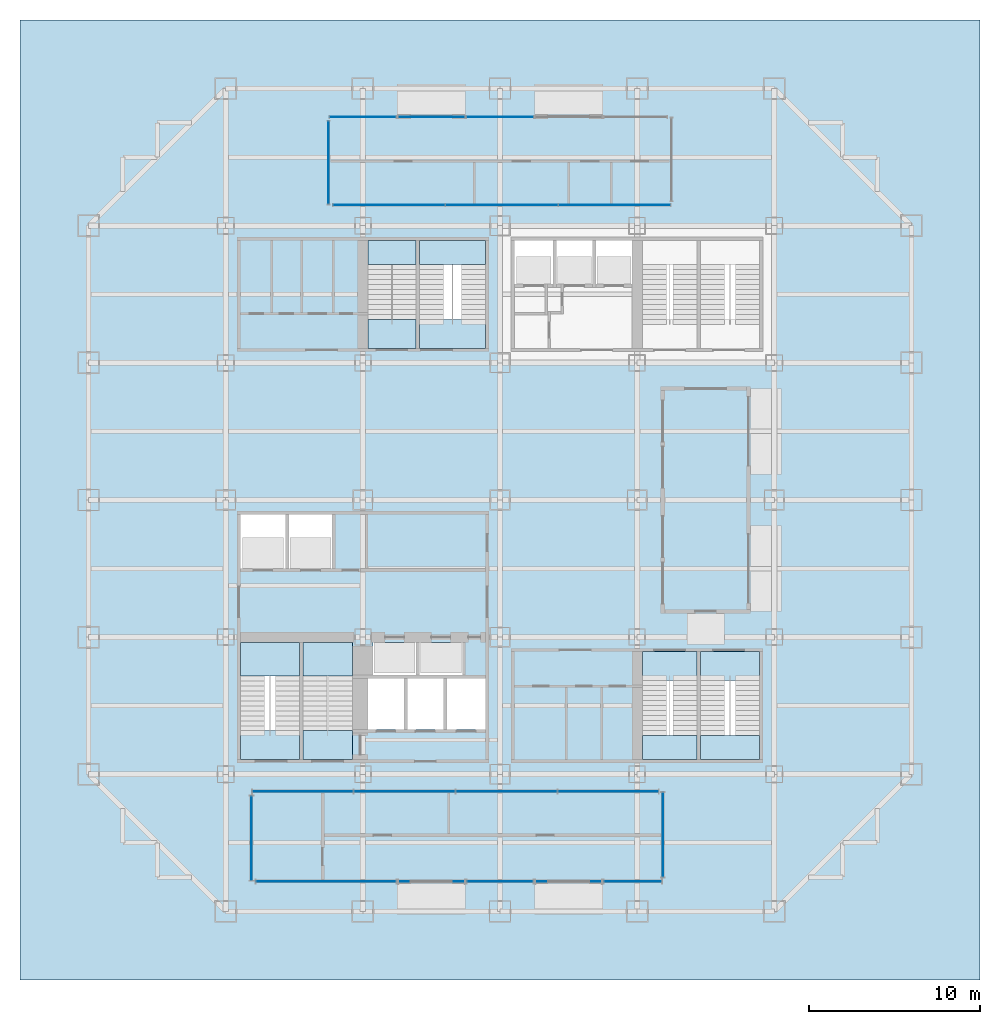
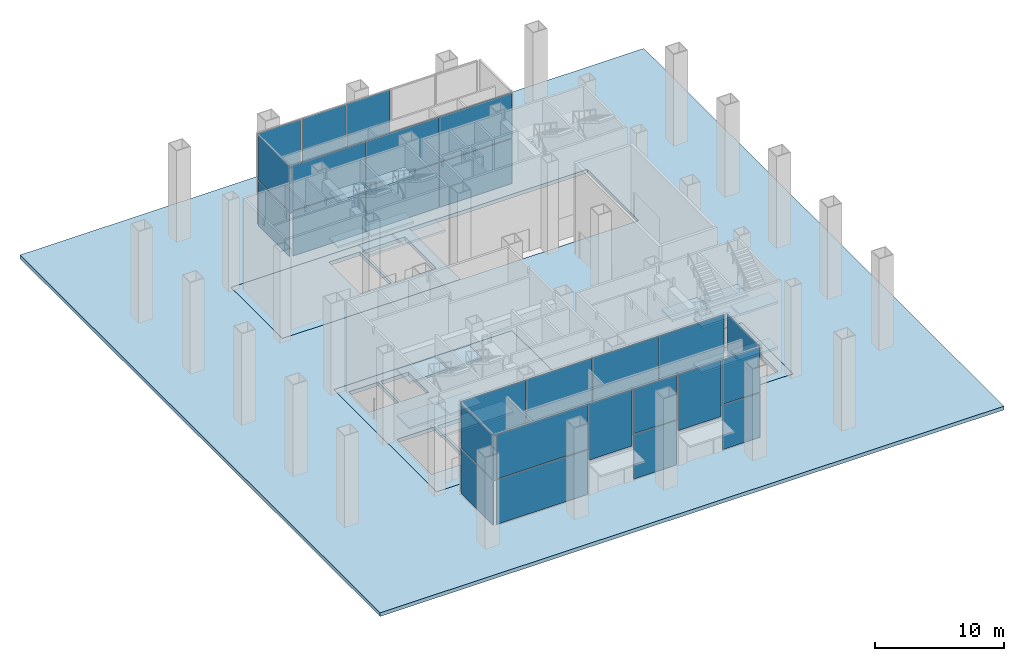
# One storey, part 6 of 14: 33 plates, 22 slabs, 19 elements without a shape of their own.
"""IFC4 building model written with IfcOpenShell, lengths in metres."""

from ifc_helpers import new_model, si_unit, direction, frame, origin, origin_2d, place, context, subcontext, project, spatial, polyline, rectangle, outline, extrude, material, layer, layer_set, type_object, element, aggregate, save


model = new_model("IFC4")

# Units and contexts
model_context = context("Model", 3, precision=1e-05, world=origin(), true_north=direction((0.0, 1.0)))
body_context = subcontext(model_context, "Body", "Model", "MODEL_VIEW")
ifc_project = project(units=[si_unit("LENGTHUNIT", "METRE"), si_unit("AREAUNIT", "SQUARE_METRE"), si_unit("VOLUMEUNIT", "CUBIC_METRE"), si_unit("PLANEANGLEUNIT", "RADIAN"), si_unit("MASSUNIT", "GRAM", prefix="KILO")], contexts=[model_context])

# Site, building, storey
site_placement = place(None, origin())
site = spatial("IfcSite", under=ifc_project, at=site_placement, CompositionType="ELEMENT")
building_placement = place(site_placement, origin())
building = spatial("IfcBuilding", under=site, at=building_placement, Name="Immortelle Media Tower", CompositionType="ELEMENT")
storey_placement = place(building_placement, origin())
storey = spatial("IfcBuildingStorey", under=building, at=storey_placement, Name="G", CompositionType="ELEMENT", Elevation=0.0)

# Slabs
ifc_material_1 = material(Name="Concrete C50/60", Category="concrete")
ifc_layer_1 = layer(ifc_material_1, 0.35009765625)
ifc_layer_set_1 = layer_set([ifc_layer_1], Name="Concrete C50/60")
slab_type_1 = type_object("IfcSlabType", Name="Core floor slab 350", PredefinedType="FLOOR", material=ifc_layer_set_1)
slab_1_placement = place(storey_placement, frame((0.0, 0.0, -0.35009765625)))
element("IfcSlab", 1, at=slab_1_placement, inside=storey, type_object=slab_type_1, Name="Core floor SW", PredefinedType="FLOOR", context=body_context, shape_type="SweptSolid", body=[
    extrude(outline(polyline([(8.0, 8.0), (24.0, 8.0), (24.0, 24.0), (8.0, 24.0), (8.0, 8.0)]), holes=[polyline([(8.85009765625, 20.0), (11.5, 20.0), (11.5, 23.14990234375), (8.85009765625, 23.14990234375), (8.85009765625, 20.0)]), polyline([(11.699951171875, 20.0), (14.199951171875, 20.0), (14.199951171875, 23.14990234375), (11.699951171875, 23.14990234375), (11.699951171875, 20.0)]), polyline([(16.60009765625, 13.800048828125), (19.10009765625, 13.800048828125), (19.10009765625, 15.699951171875), (16.60009765625, 15.699951171875), (16.60009765625, 13.800048828125)]), polyline([(19.300048828125, 13.800048828125), (21.800048828125, 13.800048828125), (21.800048828125, 15.699951171875), (19.300048828125, 15.699951171875), (19.300048828125, 13.800048828125)]), polyline([(16.300048828125, 10.60009765625), (18.39990234375, 10.60009765625), (18.39990234375, 13.60009765625), (16.300048828125, 13.60009765625), (16.300048828125, 10.60009765625)]), polyline([(18.60009765625, 10.60009765625), (20.699951171875, 10.60009765625), (20.699951171875, 13.60009765625), (18.60009765625, 13.60009765625), (18.60009765625, 10.60009765625)]), polyline([(20.89990234375, 10.60009765625), (23.14990234375, 10.60009765625), (23.14990234375, 13.60009765625), (20.89990234375, 13.60009765625), (20.89990234375, 10.60009765625)]), polyline([(8.85009765625, 10.27001953125), (12.300048828125, 10.27001953125), (12.300048828125, 15.699951171875), (8.85009765625, 15.699951171875), (8.85009765625, 10.27001953125)]), polyline([(12.5, 10.27001953125), (15.39990234375, 10.27001953125), (15.39990234375, 15.699951171875), (12.5, 15.699951171875), (12.5, 10.27001953125)])]), origin(), (0.0, 0.0, 1.0), 0.35009765625),
])
slab_2_placement = place(storey_placement, frame((0.0, 0.0, -0.35009765625)))
element("IfcSlab", 2, at=slab_2_placement, inside=storey, type_object=slab_type_1, Name="Core floor SE", PredefinedType="FLOOR", context=body_context, shape_type="SweptSolid", body=[
    extrude(outline(polyline([(24.0, 8.0), (40.0, 8.0), (40.0, 16.0), (24.0, 16.0), (24.0, 8.0)]), holes=[polyline([(32.300048828125, 8.85009765625), (35.5, 8.85009765625), (35.5, 13.72998046875), (32.300048828125, 13.72998046875), (32.300048828125, 8.85009765625)]), polyline([(35.699951171875, 8.85009765625), (39.14990234375, 8.85009765625), (39.14990234375, 13.72998046875), (35.699951171875, 13.72998046875), (35.699951171875, 8.85009765625)])]), origin(), (0.0, 0.0, 1.0), 0.35009765625),
])
slab_3_placement = place(storey_placement, frame((0.0, 0.0, -0.35009765625)))
element("IfcSlab", 3, at=slab_3_placement, inside=storey, type_object=slab_type_1, Name="Core floor NW", PredefinedType="FLOOR", context=body_context, shape_type="SweptSolid", body=[
    extrude(outline(polyline([(8.0, 32.0), (24.0, 32.0), (24.0, 40.0), (8.0, 40.0), (8.0, 32.0)]), holes=[polyline([(16.300048828125, 34.27001953125), (19.10009765625, 34.27001953125), (19.10009765625, 39.14990234375), (16.300048828125, 39.14990234375), (16.300048828125, 34.27001953125)]), polyline([(19.300048828125, 34.27001953125), (23.14990234375, 34.27001953125), (23.14990234375, 39.14990234375), (19.300048828125, 39.14990234375), (19.300048828125, 34.27001953125)])]), origin(), (0.0, 0.0, 1.0), 0.35009765625),
])
ifc_layer_2 = layer(ifc_material_1, 0.35009765625)
ifc_layer_set_2 = layer_set([ifc_layer_2], Name="Concrete C50/60")
slab_type_2 = type_object("IfcSlabType", Name="Floor slab 350", PredefinedType="FLOOR", material=ifc_layer_set_2)
slab_4_placement = place(storey_placement, frame((0.0, 0.0, -0.35009765625)))
element("IfcSlab", 4, at=slab_4_placement, inside=storey, type_object=slab_type_2, Name="Ground slab", PredefinedType="FLOOR", context=body_context, shape_type="SweptSolid", body=[
    extrude(outline(polyline([(-4.0, -4.0), (-4.0, 52.0), (52.0, 52.0), (52.0, -4.0), (-4.0, -4.0)]), holes=[polyline([(40.0, 16.0), (24.0, 16.0), (24.0, 24.0), (8.0, 24.0), (8.0, 8.0), (24.0, 8.0), (40.0, 8.0), (40.0, 16.0)]), polyline([(8.0, 32.0), (24.0, 32.0), (40.0, 32.0), (40.0, 40.0), (24.0, 40.0), (8.0, 40.0), (8.0, 32.0)])]), origin(), (0.0, 0.0, 1.0), 0.35009765625),
])

# Curtain wall, plates
ifc_material_2 = material(Name="Aluminium curtain wall system", Category="aluminium")
curtain_wall_type_1 = type_object("IfcCurtainWallType", Name="Lobby glazing curtain wall", PredefinedType="NOTDEFINED", material=ifc_material_2)
curtain_wall_1_placement = place(storey_placement, origin())
curtain_wall_1 = element("IfcCurtainWall", 5, at=curtain_wall_1_placement, inside=storey, type_object=curtain_wall_type_1, Name="Lobby glazing G E 1", PredefinedType="NOTDEFINED")
ifc_material_3 = material(Name="Laminated clear low-E glass", Category="glass")
ifc_layer_3 = layer(ifc_material_3, 0.035888671875)
ifc_layer_set_3 = layer_set([ifc_layer_3], Name="Laminated clear low-E glass")
plate_type_1 = type_object("IfcPlateType", Name="Laminated low-E double glazed panel 36 mm", PredefinedType="CURTAIN_PANEL", material=ifc_layer_set_3)
plate_1_placement = place(storey_placement, frame((33.5, 4.47509765625, 0.080078125), z_axis=(0.0, 0.0, 1.0), x_axis=(0.0, 1.0, 0.0)))
plate_1 = element("IfcPlate", 6, at=plate_1_placement, type_object=plate_type_1, Name="CW1 panel 1.1", PredefinedType="CURTAIN_PANEL", context=body_context, shape_type="SweptSolid", body=[
    extrude(rectangle(XDim=4.889892578125, YDim=0.035888671875, at=origin_2d()), origin(), (0.0, 0.0, 1.0), 4.22998046875),
])
plate_2_placement = place(storey_placement, frame((33.5, 4.47509765625, 4.389892578125), z_axis=(0.0, 0.0, 1.0), x_axis=(0.0, 1.0, 0.0)))
plate_2 = element("IfcPlate", 7, at=plate_2_placement, type_object=plate_type_1, Name="CW1 panel 1.2", PredefinedType="CURTAIN_PANEL", context=body_context, shape_type="SweptSolid", body=[
    extrude(rectangle(XDim=4.889892578125, YDim=0.035888671875, at=origin_2d()), origin(), (0.0, 0.0, 1.0), 4.22998046875),
])
aggregate(curtain_wall_1, [plate_1, plate_2])

curtain_wall_2_placement = place(storey_placement, origin())
curtain_wall_2 = element("IfcCurtainWall", 8, at=curtain_wall_2_placement, inside=storey, type_object=curtain_wall_type_1, Name="Lobby glazing G N 2", PredefinedType="NOTDEFINED")
plate_3_placement = place(storey_placement, frame((30.304931640625, 7.0, 0.080078125), z_axis=(0.0, 0.0, 1.0), x_axis=(-1.0, 0.0, 0.0)))
plate_3 = element("IfcPlate", 9, at=plate_3_placement, type_object=plate_type_1, Name="CW1 panel 1.1", PredefinedType="CURTAIN_PANEL", context=body_context, shape_type="SweptSolid", body=[
    extrude(rectangle(XDim=5.830078125, YDim=0.035888671875, at=origin_2d()), origin(), (0.0, 0.0, 1.0), 4.22998046875),
])
plate_4_placement = place(storey_placement, frame((30.304931640625, 7.0, 4.389892578125), z_axis=(0.0, 0.0, 1.0), x_axis=(-1.0, 0.0, 0.0)))
plate_4 = element("IfcPlate", 10, at=plate_4_placement, type_object=plate_type_1, Name="CW1 panel 1.2", PredefinedType="CURTAIN_PANEL", context=body_context, shape_type="SweptSolid", body=[
    extrude(rectangle(XDim=5.830078125, YDim=0.035888671875, at=origin_2d()), origin(), (0.0, 0.0, 1.0), 4.22998046875),
])
plate_5_placement = place(storey_placement, frame((24.375, 7.0, 0.080078125), z_axis=(0.0, 0.0, 1.0), x_axis=(-1.0, 0.0, 0.0)))
plate_5 = element("IfcPlate", 11, at=plate_5_placement, type_object=plate_type_1, Name="CW1 panel 2.1", PredefinedType="CURTAIN_PANEL", context=body_context, shape_type="SweptSolid", body=[
    extrude(rectangle(XDim=5.8701171875, YDim=0.035888671875, at=origin_2d()), origin(), (0.0, 0.0, 1.0), 4.22998046875),
])
plate_6_placement = place(storey_placement, frame((24.375, 7.0, 4.389892578125), z_axis=(0.0, 0.0, 1.0), x_axis=(-1.0, 0.0, 0.0)))
plate_6 = element("IfcPlate", 12, at=plate_6_placement, type_object=plate_type_1, Name="CW1 panel 2.2", PredefinedType="CURTAIN_PANEL", context=body_context, shape_type="SweptSolid", body=[
    extrude(rectangle(XDim=5.8701171875, YDim=0.035888671875, at=origin_2d()), origin(), (0.0, 0.0, 1.0), 4.22998046875),
])
plate_7_placement = place(storey_placement, frame((18.425048828125, 7.0, 0.080078125), z_axis=(0.0, 0.0, 1.0), x_axis=(-1.0, 0.0, 0.0)))
plate_7 = element("IfcPlate", 13, at=plate_7_placement, type_object=plate_type_1, Name="CW1 panel 3.1", PredefinedType="CURTAIN_PANEL", context=body_context, shape_type="SweptSolid", body=[
    extrude(rectangle(XDim=5.8701171875, YDim=0.035888671875, at=origin_2d()), origin(), (0.0, 0.0, 1.0), 4.22998046875),
])
plate_8_placement = place(storey_placement, frame((18.425048828125, 7.0, 4.389892578125), z_axis=(0.0, 0.0, 1.0), x_axis=(-1.0, 0.0, 0.0)))
plate_8 = element("IfcPlate", 14, at=plate_8_placement, type_object=plate_type_1, Name="CW1 panel 3.2", PredefinedType="CURTAIN_PANEL", context=body_context, shape_type="SweptSolid", body=[
    extrude(rectangle(XDim=5.8701171875, YDim=0.035888671875, at=origin_2d()), origin(), (0.0, 0.0, 1.0), 4.22998046875),
])
plate_9_placement = place(storey_placement, frame((12.4951171875, 7.0, 0.080078125), z_axis=(0.0, 0.0, 1.0), x_axis=(-1.0, 0.0, 0.0)))
plate_9 = element("IfcPlate", 15, at=plate_9_placement, type_object=plate_type_1, Name="CW1 panel 4.1", PredefinedType="CURTAIN_PANEL", context=body_context, shape_type="SweptSolid", body=[
    extrude(rectangle(XDim=5.830078125, YDim=0.035888671875, at=origin_2d()), origin(), (0.0, 0.0, 1.0), 4.22998046875),
])
plate_10_placement = place(storey_placement, frame((12.4951171875, 7.0, 4.389892578125), z_axis=(0.0, 0.0, 1.0), x_axis=(-1.0, 0.0, 0.0)))
plate_10 = element("IfcPlate", 16, at=plate_10_placement, type_object=plate_type_1, Name="CW1 panel 4.2", PredefinedType="CURTAIN_PANEL", context=body_context, shape_type="SweptSolid", body=[
    extrude(rectangle(XDim=5.830078125, YDim=0.035888671875, at=origin_2d()), origin(), (0.0, 0.0, 1.0), 4.22998046875),
])
aggregate(curtain_wall_2, [plate_3, plate_4, plate_5, plate_6, plate_7, plate_8, plate_9, plate_10])

curtain_wall_3_placement = place(storey_placement, origin())
curtain_wall_3 = element("IfcCurtainWall", 17, at=curtain_wall_3_placement, inside=storey, type_object=curtain_wall_type_1, Name="Lobby glazing G W 3", PredefinedType="NOTDEFINED")
plate_11_placement = place(storey_placement, frame((9.5, 4.27490234375, 0.080078125), z_axis=(0.0, 0.0, 1.0), x_axis=(0.0, -1.0, 0.0)))
plate_11 = element("IfcPlate", 18, at=plate_11_placement, type_object=plate_type_1, Name="CW1 panel 1.1", PredefinedType="CURTAIN_PANEL", context=body_context, shape_type="SweptSolid", body=[
    extrude(rectangle(XDim=4.889892578125, YDim=0.035888671875, at=origin_2d()), origin(), (0.0, 0.0, 1.0), 4.22998046875),
])
plate_12_placement = place(storey_placement, frame((9.5, 4.27490234375, 4.389892578125), z_axis=(0.0, 0.0, 1.0), x_axis=(0.0, -1.0, 0.0)))
plate_12 = element("IfcPlate", 19, at=plate_12_placement, type_object=plate_type_1, Name="CW1 panel 1.2", PredefinedType="CURTAIN_PANEL", context=body_context, shape_type="SweptSolid", body=[
    extrude(rectangle(XDim=4.889892578125, YDim=0.035888671875, at=origin_2d()), origin(), (0.0, 0.0, 1.0), 4.22998046875),
])
aggregate(curtain_wall_3, [plate_11, plate_12])

curtain_wall_4_placement = place(storey_placement, origin())
curtain_wall_4 = element("IfcCurtainWall", 20, at=curtain_wall_4_placement, inside=storey, type_object=curtain_wall_type_1, Name="Lobby glazing G S 4-1", PredefinedType="NOTDEFINED")
plate_13_placement = place(storey_placement, frame((13.85009765625, 1.75, 0.080078125), z_axis=(0.0, 0.0, 1.0), x_axis=(1.0, 0.0, 0.0)))
plate_13 = element("IfcPlate", 21, at=plate_13_placement, type_object=plate_type_1, Name="CW1 panel 1.1", PredefinedType="CURTAIN_PANEL", context=body_context, shape_type="SweptSolid", body=[
    extrude(rectangle(XDim=8.139892578125, YDim=0.035888671875, at=origin_2d()), origin(), (0.0, 0.0, 1.0), 4.22998046875),
])
plate_14_placement = place(storey_placement, frame((13.85009765625, 1.75, 4.389892578125), z_axis=(0.0, 0.0, 1.0), x_axis=(1.0, 0.0, 0.0)))
plate_14 = element("IfcPlate", 22, at=plate_14_placement, type_object=plate_type_1, Name="CW1 panel 1.2", PredefinedType="CURTAIN_PANEL", context=body_context, shape_type="SweptSolid", body=[
    extrude(rectangle(XDim=8.139892578125, YDim=0.035888671875, at=origin_2d()), origin(), (0.0, 0.0, 1.0), 4.22998046875),
])
aggregate(curtain_wall_4, [plate_13, plate_14])

# Curtain wall, plate
curtain_wall_5_placement = place(storey_placement, origin())
curtain_wall_5 = element("IfcCurtainWall", 23, at=curtain_wall_5_placement, inside=storey, type_object=curtain_wall_type_1, Name="Lobby glazing above doors G S 4-2", PredefinedType="NOTDEFINED")
plate_15_placement = place(storey_placement, frame((20.0, 1.75, 3.27978515625), z_axis=(0.0, 0.0, 1.0), x_axis=(1.0, 0.0, 0.0)))
plate_15 = element("IfcPlate", 24, at=plate_15_placement, type_object=plate_type_1, Name="CW1 panel 1.1", PredefinedType="CURTAIN_PANEL", context=body_context, shape_type="SweptSolid", body=[
    extrude(rectangle(XDim=3.840087890625, YDim=0.035888671875, at=origin_2d()), origin(), (0.0, 0.0, 1.0), 5.340087890625),
])
aggregate(curtain_wall_5, [plate_15])

# Curtain wall, plates
curtain_wall_6_placement = place(storey_placement, origin())
curtain_wall_6 = element("IfcCurtainWall", 25, at=curtain_wall_6_placement, inside=storey, type_object=curtain_wall_type_1, Name="Lobby glazing G S 4-3", PredefinedType="NOTDEFINED")
plate_16_placement = place(storey_placement, frame((24.0, 1.75, 0.080078125), z_axis=(0.0, 0.0, 1.0), x_axis=(1.0, 0.0, 0.0)))
plate_16 = element("IfcPlate", 26, at=plate_16_placement, type_object=plate_type_1, Name="CW1 panel 1.1", PredefinedType="CURTAIN_PANEL", context=body_context, shape_type="SweptSolid", body=[
    extrude(rectangle(XDim=3.840087890625, YDim=0.035888671875, at=origin_2d()), origin(), (0.0, 0.0, 1.0), 4.22998046875),
])
plate_17_placement = place(storey_placement, frame((24.0, 1.75, 4.389892578125), z_axis=(0.0, 0.0, 1.0), x_axis=(1.0, 0.0, 0.0)))
plate_17 = element("IfcPlate", 27, at=plate_17_placement, type_object=plate_type_1, Name="CW1 panel 1.2", PredefinedType="CURTAIN_PANEL", context=body_context, shape_type="SweptSolid", body=[
    extrude(rectangle(XDim=3.840087890625, YDim=0.035888671875, at=origin_2d()), origin(), (0.0, 0.0, 1.0), 4.22998046875),
])
aggregate(curtain_wall_6, [plate_16, plate_17])

# Curtain wall, plate
curtain_wall_7_placement = place(storey_placement, origin())
curtain_wall_7 = element("IfcCurtainWall", 28, at=curtain_wall_7_placement, inside=storey, type_object=curtain_wall_type_1, Name="Lobby glazing above doors G S 4-4", PredefinedType="NOTDEFINED")
plate_18_placement = place(storey_placement, frame((28.0, 1.75, 3.27978515625), z_axis=(0.0, 0.0, 1.0), x_axis=(1.0, 0.0, 0.0)))
plate_18 = element("IfcPlate", 29, at=plate_18_placement, type_object=plate_type_1, Name="CW1 panel 1.1", PredefinedType="CURTAIN_PANEL", context=body_context, shape_type="SweptSolid", body=[
    extrude(rectangle(XDim=3.840087890625, YDim=0.035888671875, at=origin_2d()), origin(), (0.0, 0.0, 1.0), 5.340087890625),
])
aggregate(curtain_wall_7, [plate_18])

# Curtain wall, plates
curtain_wall_8_placement = place(storey_placement, origin())
curtain_wall_8 = element("IfcCurtainWall", 30, at=curtain_wall_8_placement, inside=storey, type_object=curtain_wall_type_1, Name="Lobby glazing G S 4-5", PredefinedType="NOTDEFINED")
plate_19_placement = place(storey_placement, frame((31.75, 1.75, 0.080078125), z_axis=(0.0, 0.0, 1.0), x_axis=(1.0, 0.0, 0.0)))
plate_19 = element("IfcPlate", 31, at=plate_19_placement, type_object=plate_type_1, Name="CW1 panel 1.1", PredefinedType="CURTAIN_PANEL", context=body_context, shape_type="SweptSolid", body=[
    extrude(rectangle(XDim=3.340087890625, YDim=0.035888671875, at=origin_2d()), origin(), (0.0, 0.0, 1.0), 4.22998046875),
])
plate_20_placement = place(storey_placement, frame((31.75, 1.75, 4.389892578125), z_axis=(0.0, 0.0, 1.0), x_axis=(1.0, 0.0, 0.0)))
plate_20 = element("IfcPlate", 32, at=plate_20_placement, type_object=plate_type_1, Name="CW1 panel 1.2", PredefinedType="CURTAIN_PANEL", context=body_context, shape_type="SweptSolid", body=[
    extrude(rectangle(XDim=3.340087890625, YDim=0.035888671875, at=origin_2d()), origin(), (0.0, 0.0, 1.0), 4.22998046875),
])
aggregate(curtain_wall_8, [plate_19, plate_20])

curtain_wall_type_2 = type_object("IfcCurtainWallType", Name="Shopfront glazing curtain wall", PredefinedType="NOTDEFINED", material=ifc_material_2)
curtain_wall_9_placement = place(storey_placement, origin())
curtain_wall_9 = element("IfcCurtainWall", 33, at=curtain_wall_9_placement, inside=storey, type_object=curtain_wall_type_2, Name="Shopfront G N 2-3", PredefinedType="NOTDEFINED")
ifc_material_4 = material(Name="Clear low-E double glazing", Category="glass")
ifc_layer_4 = layer(ifc_material_4, 0.031982421875)
ifc_layer_set_4 = layer_set([ifc_layer_4], Name="Clear low-E double glazing")
plate_type_2 = type_object("IfcPlateType", Name="Low-E double glazed panel 32 mm", PredefinedType="CURTAIN_PANEL", material=ifc_layer_set_4)
plate_21_placement = place(storey_placement, frame((24.0, 46.35009765625, 0.06982421875), z_axis=(0.0, 0.0, 1.0), x_axis=(-1.0, 0.0, 0.0)))
plate_21 = element("IfcPlate", 34, at=plate_21_placement, type_object=plate_type_2, Name="CW2 panel 1.1", PredefinedType="CURTAIN_PANEL", context=body_context, shape_type="SweptSolid", body=[
    extrude(rectangle(XDim=3.860107421875, YDim=0.031982421875, at=origin_2d()), origin(), (0.0, 0.0, 1.0), 4.2451171875),
])
plate_22_placement = place(storey_placement, frame((24.0, 46.35009765625, 4.385009765625), z_axis=(0.0, 0.0, 1.0), x_axis=(-1.0, 0.0, 0.0)))
plate_22 = element("IfcPlate", 35, at=plate_22_placement, type_object=plate_type_2, Name="CW2 panel 1.2", PredefinedType="CURTAIN_PANEL", context=body_context, shape_type="SweptSolid", body=[
    extrude(rectangle(XDim=3.860107421875, YDim=0.031982421875, at=origin_2d()), origin(), (0.0, 0.0, 1.0), 4.2451171875),
])
aggregate(curtain_wall_9, [plate_21, plate_22])

# Curtain wall, plate
curtain_wall_10_placement = place(storey_placement, origin())
curtain_wall_10 = element("IfcCurtainWall", 36, at=curtain_wall_10_placement, inside=storey, type_object=curtain_wall_type_2, Name="Shopfront above doors G N 2-4", PredefinedType="NOTDEFINED")
plate_23_placement = place(storey_placement, frame((20.0, 46.35009765625, 3.27001953125), z_axis=(0.0, 0.0, 1.0), x_axis=(-1.0, 0.0, 0.0)))
plate_23 = element("IfcPlate", 37, at=plate_23_placement, type_object=plate_type_2, Name="CW2 panel 1.1", PredefinedType="CURTAIN_PANEL", context=body_context, shape_type="SweptSolid", body=[
    extrude(rectangle(XDim=3.860107421875, YDim=0.031982421875, at=origin_2d()), origin(), (0.0, 0.0, 1.0), 5.360107421875),
])
aggregate(curtain_wall_10, [plate_23])

# Curtain wall, plates
curtain_wall_11_placement = place(storey_placement, origin())
curtain_wall_11 = element("IfcCurtainWall", 38, at=curtain_wall_11_placement, inside=storey, type_object=curtain_wall_type_2, Name="Shopfront G N 2-5", PredefinedType="NOTDEFINED")
plate_24_placement = place(storey_placement, frame((16.0, 46.35009765625, 0.06982421875), z_axis=(0.0, 0.0, 1.0), x_axis=(-1.0, 0.0, 0.0)))
plate_24 = element("IfcPlate", 39, at=plate_24_placement, type_object=plate_type_2, Name="CW2 panel 1.1", PredefinedType="CURTAIN_PANEL", context=body_context, shape_type="SweptSolid", body=[
    extrude(rectangle(XDim=3.860107421875, YDim=0.031982421875, at=origin_2d()), origin(), (0.0, 0.0, 1.0), 4.2451171875),
])
plate_25_placement = place(storey_placement, frame((16.0, 46.35009765625, 4.385009765625), z_axis=(0.0, 0.0, 1.0), x_axis=(-1.0, 0.0, 0.0)))
plate_25 = element("IfcPlate", 40, at=plate_25_placement, type_object=plate_type_2, Name="CW2 panel 1.2", PredefinedType="CURTAIN_PANEL", context=body_context, shape_type="SweptSolid", body=[
    extrude(rectangle(XDim=3.860107421875, YDim=0.031982421875, at=origin_2d()), origin(), (0.0, 0.0, 1.0), 4.2451171875),
])
aggregate(curtain_wall_11, [plate_24, plate_25])

curtain_wall_12_placement = place(storey_placement, origin())
curtain_wall_12 = element("IfcCurtainWall", 41, at=curtain_wall_12_placement, inside=storey, type_object=curtain_wall_type_2, Name="Shopfront G W 3", PredefinedType="NOTDEFINED")
plate_26_placement = place(storey_placement, frame((14.0, 43.675048828125, 0.06982421875), z_axis=(0.0, 0.0, 1.0), x_axis=(0.0, -1.0, 0.0)))
plate_26 = element("IfcPlate", 42, at=plate_26_placement, type_object=plate_type_2, Name="CW2 panel 1.1", PredefinedType="CURTAIN_PANEL", context=body_context, shape_type="SweptSolid", body=[
    extrude(rectangle(XDim=4.81005859375, YDim=0.031982421875, at=origin_2d()), origin(), (0.0, 0.0, 1.0), 4.2451171875),
])
plate_27_placement = place(storey_placement, frame((14.0, 43.675048828125, 4.385009765625), z_axis=(0.0, 0.0, 1.0), x_axis=(0.0, -1.0, 0.0)))
plate_27 = element("IfcPlate", 43, at=plate_27_placement, type_object=plate_type_2, Name="CW2 panel 1.2", PredefinedType="CURTAIN_PANEL", context=body_context, shape_type="SweptSolid", body=[
    extrude(rectangle(XDim=4.81005859375, YDim=0.031982421875, at=origin_2d()), origin(), (0.0, 0.0, 1.0), 4.2451171875),
])
aggregate(curtain_wall_12, [plate_26, plate_27])

curtain_wall_13_placement = place(storey_placement, origin())
curtain_wall_13 = element("IfcCurtainWall", 44, at=curtain_wall_13_placement, inside=storey, type_object=curtain_wall_type_2, Name="Shopfront G S 4", PredefinedType="NOTDEFINED")
plate_28_placement = place(storey_placement, frame((17.517578125, 41.199951171875, 0.06982421875), z_axis=(0.0, 0.0, 1.0), x_axis=(1.0, 0.0, 0.0)))
plate_28 = element("IfcPlate", 45, at=plate_28_placement, type_object=plate_type_2, Name="CW2 panel 1.1", PredefinedType="CURTAIN_PANEL", context=body_context, shape_type="SweptSolid", body=[
    extrude(rectangle(XDim=6.4951171875, YDim=0.031982421875, at=origin_2d()), origin(), (0.0, 0.0, 1.0), 4.2451171875),
])
plate_29_placement = place(storey_placement, frame((17.517578125, 41.199951171875, 4.385009765625), z_axis=(0.0, 0.0, 1.0), x_axis=(1.0, 0.0, 0.0)))
plate_29 = element("IfcPlate", 46, at=plate_29_placement, type_object=plate_type_2, Name="CW2 panel 1.2", PredefinedType="CURTAIN_PANEL", context=body_context, shape_type="SweptSolid", body=[
    extrude(rectangle(XDim=6.4951171875, YDim=0.031982421875, at=origin_2d()), origin(), (0.0, 0.0, 1.0), 4.2451171875),
])
plate_30_placement = place(storey_placement, frame((24.10009765625, 41.199951171875, 0.06982421875), z_axis=(0.0, 0.0, 1.0), x_axis=(1.0, 0.0, 0.0)))
plate_30 = element("IfcPlate", 47, at=plate_30_placement, type_object=plate_type_2, Name="CW2 panel 2.1", PredefinedType="CURTAIN_PANEL", context=body_context, shape_type="SweptSolid", body=[
    extrude(rectangle(XDim=6.530029296875, YDim=0.031982421875, at=origin_2d()), origin(), (0.0, 0.0, 1.0), 4.2451171875),
])
plate_31_placement = place(storey_placement, frame((24.10009765625, 41.199951171875, 4.385009765625), z_axis=(0.0, 0.0, 1.0), x_axis=(1.0, 0.0, 0.0)))
plate_31 = element("IfcPlate", 48, at=plate_31_placement, type_object=plate_type_2, Name="CW2 panel 2.2", PredefinedType="CURTAIN_PANEL", context=body_context, shape_type="SweptSolid", body=[
    extrude(rectangle(XDim=6.530029296875, YDim=0.031982421875, at=origin_2d()), origin(), (0.0, 0.0, 1.0), 4.2451171875),
])
plate_32_placement = place(storey_placement, frame((30.6826171875, 41.199951171875, 0.06982421875), z_axis=(0.0, 0.0, 1.0), x_axis=(1.0, 0.0, 0.0)))
plate_32 = element("IfcPlate", 49, at=plate_32_placement, type_object=plate_type_2, Name="CW2 panel 3.1", PredefinedType="CURTAIN_PANEL", context=body_context, shape_type="SweptSolid", body=[
    extrude(rectangle(XDim=6.4951171875, YDim=0.031982421875, at=origin_2d()), origin(), (0.0, 0.0, 1.0), 4.2451171875),
])
plate_33_placement = place(storey_placement, frame((30.6826171875, 41.199951171875, 4.385009765625), z_axis=(0.0, 0.0, 1.0), x_axis=(1.0, 0.0, 0.0)))
plate_33 = element("IfcPlate", 50, at=plate_33_placement, type_object=plate_type_2, Name="CW2 panel 3.2", PredefinedType="CURTAIN_PANEL", context=body_context, shape_type="SweptSolid", body=[
    extrude(rectangle(XDim=6.4951171875, YDim=0.031982421875, at=origin_2d()), origin(), (0.0, 0.0, 1.0), 4.2451171875),
])
aggregate(curtain_wall_13, [plate_28, plate_29, plate_30, plate_31, plate_32, plate_33])

# Stair, slabs
ifc_material_5 = material(Name="Steel ASTM A992 Gr 50", Category="steel")
stair_type = type_object("IfcStairType", Name="Stair with flights", PredefinedType="DOUBLE_RETURN_STAIR", material=ifc_material_5)
stair_1_placement = place(storey_placement, origin())
stair_1 = element("IfcStair", 51, at=stair_1_placement, inside=storey, type_object=stair_type, Name="Exit stair SW1", PredefinedType="DOUBLE_RETURN_STAIR")
ifc_material_6 = material(Name="Steel ASTM A572 Gr 50", Category="steel")
ifc_layer_5 = layer(ifc_material_6, 0.199951171875)
ifc_layer_set_5 = layer_set([ifc_layer_5], Name="Steel ASTM A572 Gr 50")
slab_type_3 = type_object("IfcSlabType", Name="Stair landing 200", PredefinedType="LANDING", material=ifc_layer_set_5)
slab_5_placement = place(storey_placement, frame((0.0, 0.0, 2.139892578125)))
slab_5 = element("IfcSlab", 52, at=slab_5_placement, type_object=slab_type_3, Name="ST SW1 landing 1", PredefinedType="LANDING", context=body_context, shape_type="SweptSolid", body=[
    extrude(outline(polyline([(8.85009765625, 13.72998046875), (12.300048828125, 13.72998046875), (12.300048828125, 15.699951171875), (8.85009765625, 15.699951171875), (8.85009765625, 13.72998046875)])), origin(), (0.0, 0.0, 1.0), 0.2001953125),
])
slab_6_placement = place(storey_placement, frame((0.0, 0.0, 4.300048828125)))
slab_6 = element("IfcSlab", 53, at=slab_6_placement, type_object=slab_type_3, Name="ST SW1 landing 2", PredefinedType="LANDING", context=body_context, shape_type="SweptSolid", body=[
    extrude(outline(polyline([(8.85009765625, 8.85009765625), (12.300048828125, 8.85009765625), (12.300048828125, 10.5400390625), (8.85009765625, 10.5400390625), (8.85009765625, 8.85009765625)])), origin(), (0.0, 0.0, 1.0), 0.199951171875),
])
slab_7_placement = place(storey_placement, frame((0.0, 0.0, 6.4599609375)))
slab_7 = element("IfcSlab", 54, at=slab_7_placement, type_object=slab_type_3, Name="ST SW1 landing 3", PredefinedType="LANDING", context=body_context, shape_type="SweptSolid", body=[
    extrude(outline(polyline([(8.85009765625, 13.72998046875), (12.300048828125, 13.72998046875), (12.300048828125, 15.699951171875), (8.85009765625, 15.699951171875), (8.85009765625, 13.72998046875)])), origin(), (0.0, 0.0, 1.0), 0.199951171875),
])
aggregate(stair_1, [slab_5, slab_6, slab_7])

stair_2_placement = place(storey_placement, origin())
stair_2 = element("IfcStair", 55, at=stair_2_placement, inside=storey, type_object=stair_type, Name="Exit stair SW2", PredefinedType="DOUBLE_RETURN_STAIR")
slab_8_placement = place(storey_placement, frame((0.0, 0.0, 2.139892578125)))
slab_8 = element("IfcSlab", 56, at=slab_8_placement, type_object=slab_type_3, Name="ST SW2 landing 1", PredefinedType="LANDING", context=body_context, shape_type="SweptSolid", body=[
    extrude(outline(polyline([(12.5, 13.72998046875), (15.39990234375, 13.72998046875), (15.39990234375, 15.699951171875), (12.5, 15.699951171875), (12.5, 13.72998046875)])), origin(), (0.0, 0.0, 1.0), 0.2001953125),
])
slab_9_placement = place(storey_placement, frame((0.0, 0.0, 4.300048828125)))
slab_9 = element("IfcSlab", 57, at=slab_9_placement, type_object=slab_type_3, Name="ST SW2 landing 2", PredefinedType="LANDING", context=body_context, shape_type="SweptSolid", body=[
    extrude(outline(polyline([(12.5, 8.85009765625), (15.39990234375, 8.85009765625), (15.39990234375, 10.5400390625), (12.5, 10.5400390625), (12.5, 8.85009765625)])), origin(), (0.0, 0.0, 1.0), 0.199951171875),
])
slab_10_placement = place(storey_placement, frame((0.0, 0.0, 6.4599609375)))
slab_10 = element("IfcSlab", 58, at=slab_10_placement, type_object=slab_type_3, Name="ST SW2 landing 3", PredefinedType="LANDING", context=body_context, shape_type="SweptSolid", body=[
    extrude(outline(polyline([(12.5, 13.72998046875), (15.39990234375, 13.72998046875), (15.39990234375, 15.699951171875), (12.5, 15.699951171875), (12.5, 13.72998046875)])), origin(), (0.0, 0.0, 1.0), 0.199951171875),
])
aggregate(stair_2, [slab_8, slab_9, slab_10])

stair_3_placement = place(storey_placement, origin())
stair_3 = element("IfcStair", 59, at=stair_3_placement, inside=storey, type_object=stair_type, Name="Exit stair SE1", PredefinedType="DOUBLE_RETURN_STAIR")
slab_11_placement = place(storey_placement, frame((0.0, 0.0, 2.139892578125)))
slab_11 = element("IfcSlab", 60, at=slab_11_placement, type_object=slab_type_3, Name="ST SE1 landing 1", PredefinedType="LANDING", context=body_context, shape_type="SweptSolid", body=[
    extrude(outline(polyline([(32.300048828125, 8.85009765625), (35.5, 8.85009765625), (35.5, 10.27001953125), (32.300048828125, 10.27001953125), (32.300048828125, 8.85009765625)])), origin(), (0.0, 0.0, 1.0), 0.2001953125),
])
slab_12_placement = place(storey_placement, frame((0.0, 0.0, 4.300048828125)))
slab_12 = element("IfcSlab", 61, at=slab_12_placement, type_object=slab_type_3, Name="ST SE1 landing 2", PredefinedType="LANDING", context=body_context, shape_type="SweptSolid", body=[
    extrude(outline(polyline([(32.300048828125, 13.4599609375), (35.5, 13.4599609375), (35.5, 15.14990234375), (32.300048828125, 15.14990234375), (32.300048828125, 13.4599609375)])), origin(), (0.0, 0.0, 1.0), 0.199951171875),
])
slab_13_placement = place(storey_placement, frame((0.0, 0.0, 6.4599609375)))
slab_13 = element("IfcSlab", 62, at=slab_13_placement, type_object=slab_type_3, Name="ST SE1 landing 3", PredefinedType="LANDING", context=body_context, shape_type="SweptSolid", body=[
    extrude(outline(polyline([(32.300048828125, 8.85009765625), (35.5, 8.85009765625), (35.5, 10.27001953125), (32.300048828125, 10.27001953125), (32.300048828125, 8.85009765625)])), origin(), (0.0, 0.0, 1.0), 0.199951171875),
])
aggregate(stair_3, [slab_11, slab_12, slab_13])

stair_4_placement = place(storey_placement, origin())
stair_4 = element("IfcStair", 63, at=stair_4_placement, inside=storey, type_object=stair_type, Name="Exit stair SE2", PredefinedType="DOUBLE_RETURN_STAIR")
slab_14_placement = place(storey_placement, frame((0.0, 0.0, 2.139892578125)))
slab_14 = element("IfcSlab", 64, at=slab_14_placement, type_object=slab_type_3, Name="ST SE2 landing 1", PredefinedType="LANDING", context=body_context, shape_type="SweptSolid", body=[
    extrude(outline(polyline([(35.699951171875, 8.85009765625), (39.14990234375, 8.85009765625), (39.14990234375, 10.27001953125), (35.699951171875, 10.27001953125), (35.699951171875, 8.85009765625)])), origin(), (0.0, 0.0, 1.0), 0.2001953125),
])
slab_15_placement = place(storey_placement, frame((0.0, 0.0, 4.300048828125)))
slab_15 = element("IfcSlab", 65, at=slab_15_placement, type_object=slab_type_3, Name="ST SE2 landing 2", PredefinedType="LANDING", context=body_context, shape_type="SweptSolid", body=[
    extrude(outline(polyline([(35.699951171875, 13.4599609375), (39.14990234375, 13.4599609375), (39.14990234375, 15.14990234375), (35.699951171875, 15.14990234375), (35.699951171875, 13.4599609375)])), origin(), (0.0, 0.0, 1.0), 0.199951171875),
])
slab_16_placement = place(storey_placement, frame((0.0, 0.0, 6.4599609375)))
slab_16 = element("IfcSlab", 66, at=slab_16_placement, type_object=slab_type_3, Name="ST SE2 landing 3", PredefinedType="LANDING", context=body_context, shape_type="SweptSolid", body=[
    extrude(outline(polyline([(35.699951171875, 8.85009765625), (39.14990234375, 8.85009765625), (39.14990234375, 10.27001953125), (35.699951171875, 10.27001953125), (35.699951171875, 8.85009765625)])), origin(), (0.0, 0.0, 1.0), 0.199951171875),
])
aggregate(stair_4, [slab_14, slab_15, slab_16])

stair_5_placement = place(storey_placement, origin())
stair_5 = element("IfcStair", 67, at=stair_5_placement, inside=storey, type_object=stair_type, Name="Exit stair NW1", PredefinedType="DOUBLE_RETURN_STAIR")
slab_17_placement = place(storey_placement, frame((0.0, 0.0, 2.139892578125)))
slab_17 = element("IfcSlab", 68, at=slab_17_placement, type_object=slab_type_3, Name="ST NW1 landing 1", PredefinedType="LANDING", context=body_context, shape_type="SweptSolid", body=[
    extrude(outline(polyline([(16.300048828125, 37.72998046875), (19.10009765625, 37.72998046875), (19.10009765625, 39.14990234375), (16.300048828125, 39.14990234375), (16.300048828125, 37.72998046875)])), origin(), (0.0, 0.0, 1.0), 0.2001953125),
])
slab_18_placement = place(storey_placement, frame((0.0, 0.0, 4.300048828125)))
slab_18 = element("IfcSlab", 69, at=slab_18_placement, type_object=slab_type_3, Name="ST NW1 landing 2", PredefinedType="LANDING", context=body_context, shape_type="SweptSolid", body=[
    extrude(outline(polyline([(16.300048828125, 32.85009765625), (19.10009765625, 32.85009765625), (19.10009765625, 34.5400390625), (16.300048828125, 34.5400390625), (16.300048828125, 32.85009765625)])), origin(), (0.0, 0.0, 1.0), 0.199951171875),
])
slab_19_placement = place(storey_placement, frame((0.0, 0.0, 6.4599609375)))
slab_19 = element("IfcSlab", 70, at=slab_19_placement, type_object=slab_type_3, Name="ST NW1 landing 3", PredefinedType="LANDING", context=body_context, shape_type="SweptSolid", body=[
    extrude(outline(polyline([(16.300048828125, 37.72998046875), (19.10009765625, 37.72998046875), (19.10009765625, 39.14990234375), (16.300048828125, 39.14990234375), (16.300048828125, 37.72998046875)])), origin(), (0.0, 0.0, 1.0), 0.199951171875),
])
aggregate(stair_5, [slab_17, slab_18, slab_19])

stair_6_placement = place(storey_placement, origin())
stair_6 = element("IfcStair", 71, at=stair_6_placement, inside=storey, type_object=stair_type, Name="Exit stair NW2", PredefinedType="DOUBLE_RETURN_STAIR")
slab_20_placement = place(storey_placement, frame((0.0, 0.0, 2.139892578125)))
slab_20 = element("IfcSlab", 72, at=slab_20_placement, type_object=slab_type_3, Name="ST NW2 landing 1", PredefinedType="LANDING", context=body_context, shape_type="SweptSolid", body=[
    extrude(outline(polyline([(19.300048828125, 37.72998046875), (23.14990234375, 37.72998046875), (23.14990234375, 39.14990234375), (19.300048828125, 39.14990234375), (19.300048828125, 37.72998046875)])), origin(), (0.0, 0.0, 1.0), 0.2001953125),
])
slab_21_placement = place(storey_placement, frame((0.0, 0.0, 4.300048828125)))
slab_21 = element("IfcSlab", 73, at=slab_21_placement, type_object=slab_type_3, Name="ST NW2 landing 2", PredefinedType="LANDING", context=body_context, shape_type="SweptSolid", body=[
    extrude(outline(polyline([(19.300048828125, 32.85009765625), (23.14990234375, 32.85009765625), (23.14990234375, 34.5400390625), (19.300048828125, 34.5400390625), (19.300048828125, 32.85009765625)])), origin(), (0.0, 0.0, 1.0), 0.199951171875),
])
slab_22_placement = place(storey_placement, frame((0.0, 0.0, 6.4599609375)))
slab_22 = element("IfcSlab", 74, at=slab_22_placement, type_object=slab_type_3, Name="ST NW2 landing 3", PredefinedType="LANDING", context=body_context, shape_type="SweptSolid", body=[
    extrude(outline(polyline([(19.300048828125, 37.72998046875), (23.14990234375, 37.72998046875), (23.14990234375, 39.14990234375), (19.300048828125, 39.14990234375), (19.300048828125, 37.72998046875)])), origin(), (0.0, 0.0, 1.0), 0.199951171875),
])
aggregate(stair_6, [slab_20, slab_21, slab_22])

save(model, "model.ifc")
